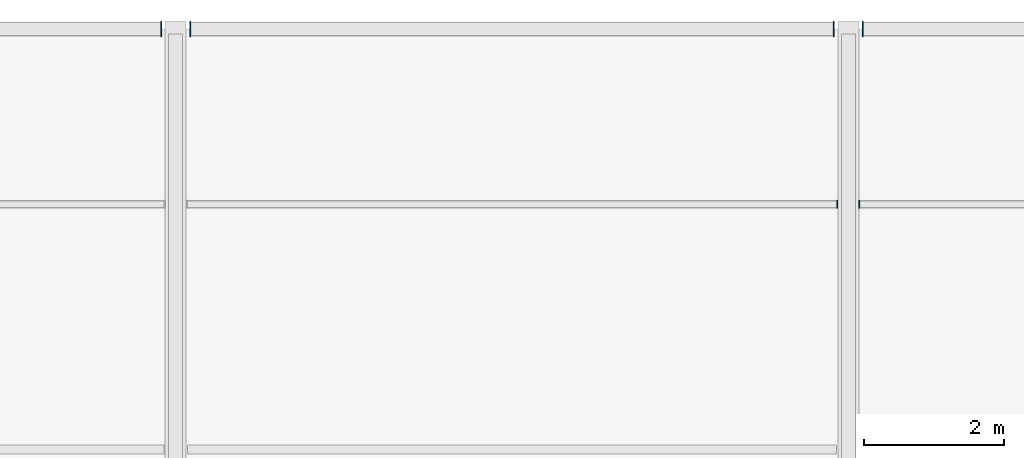
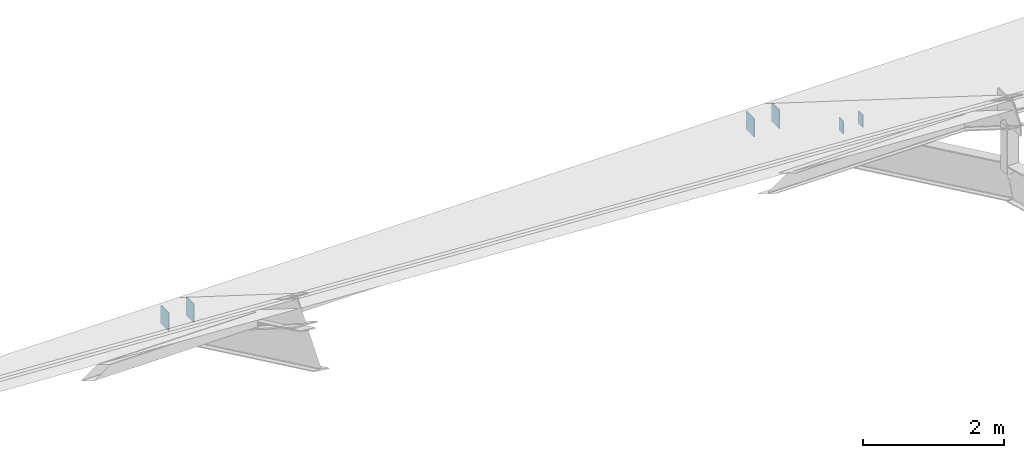
# One storey, part 58 of 66: 6 plates.
"""IFC4 building model written with IfcOpenShell, lengths in metres."""

from ifc_helpers import new_model, si_unit, direction, frame, origin, origin_2d, place, context, subcontext, project, spatial, rectangle, extrude, material, layer, layer_set, type_object, element, save


model = new_model("IFC4")

# Units and contexts
model_context = context("Model", 3, precision=1e-05, world=origin(), true_north=direction((0.0, 1.0)))
body_context = subcontext(model_context, "Body", "Model", "MODEL_VIEW")
ifc_project = project(units=[si_unit("LENGTHUNIT", "METRE"), si_unit("AREAUNIT", "SQUARE_METRE"), si_unit("VOLUMEUNIT", "CUBIC_METRE"), si_unit("PLANEANGLEUNIT", "RADIAN"), si_unit("MASSUNIT", "GRAM", prefix="KILO")], contexts=[model_context])

# Site, building, storey
site_placement = place(None, origin())
site = spatial("IfcSite", under=ifc_project, at=site_placement, CompositionType="ELEMENT")
building_placement = place(site_placement, origin())
building = spatial("IfcBuilding", under=site, at=building_placement, Name="Yeouljin Market Hall", CompositionType="ELEMENT")
storey_placement = place(building_placement, frame((0.0, 0.0, 23.39990234375)))
storey = spatial("IfcBuildingStorey", under=building, at=storey_placement, Name="RF", CompositionType="ELEMENT", Elevation=23.39990234375)

# Plates
ifc_material_1 = material(Name="Steel SM355", Category="steel")
ifc_layer_1 = layer(ifc_material_1, 0.01611328125)
ifc_layer_set_1 = layer_set([ifc_layer_1], Name="Steel SM355")
plate_type_1 = type_object("IfcPlateType", Name="CapPlate_220x120x16", PredefinedType="SHEET", material=ifc_layer_set_1)
for number, where, z_axis, x_axis, name in (
    (1, (121.64208984375, 75.5, -10.91845703125), (0.0, 0.0, 1.0), (0.0, 1.0, 0.0), "Purlin end-cap plate 0216"),
    (2, (121.9580078125, 75.5, -10.91845703125), (0.0, 0.0, 1.0), (0.0, 1.0, 0.0), "Purlin end-cap plate 0227"),
):
    element("IfcPlate", number, at=place(storey_placement, frame(where, z_axis=z_axis, x_axis=x_axis)), inside=storey, type_object=plate_type_1, Name=name, PredefinedType="SHEET", context=body_context, shape_type="SweptSolid", body=[
        extrude(rectangle(XDim=0.1201171875, YDim=0.01611328125, at=origin_2d()), origin(), (0.0, 0.0, 1.0), 0.219970703125),
    ])
ifc_material_2 = material(Name="Steel SM355", Category="steel")
ifc_layer_2 = layer(ifc_material_2, 0.01611328125)
ifc_layer_set_2 = layer_set([ifc_layer_2], Name="Steel SM355")
plate_type_2 = type_object("IfcPlateType", Name="CapPlate_320x220x16", PredefinedType="SHEET", material=ifc_layer_set_2)
for number, where, z_axis, x_axis, name in (
    (3, (111.991943359375, 78.0, -12.43994140625), (0.0, 0.0, 1.0), (0.0, 1.0, 0.0), "Eaves girder end-cap plate N08-E"),
    (4, (112.407958984375, 78.0, -12.43994140625), (0.0, 0.0, 1.0), (0.0, 1.0, 0.0), "Eaves girder end-cap plate N09-W"),
    (5, (121.592041015625, 78.0, -12.43994140625), (0.0, 0.0, 1.0), (0.0, 1.0, 0.0), "Eaves girder end-cap plate N09-E"),
    (6, (122.008056640625, 78.0, -12.43994140625), (0.0, 0.0, 1.0), (0.0, 1.0, 0.0), "Eaves girder end-cap plate N10-W"),
):
    element("IfcPlate", number, at=place(storey_placement, frame(where, z_axis=z_axis, x_axis=x_axis)), inside=storey, type_object=plate_type_2, Name=name, PredefinedType="SHEET", context=body_context, shape_type="SweptSolid", body=[
        extrude(rectangle(XDim=0.219970703125, YDim=0.01611328125, at=origin_2d()), origin(), (0.0, 0.0, 1.0), 0.320068359375),
    ])

save(model, "model.ifc")
